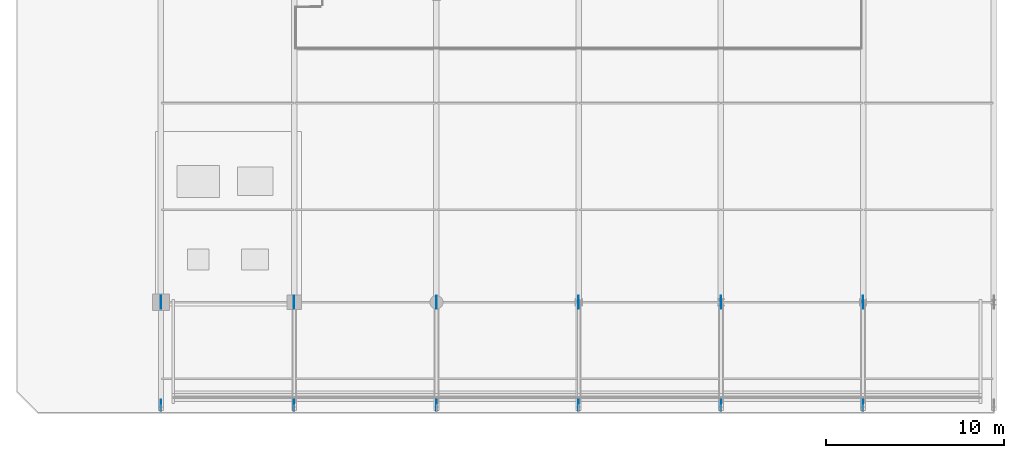
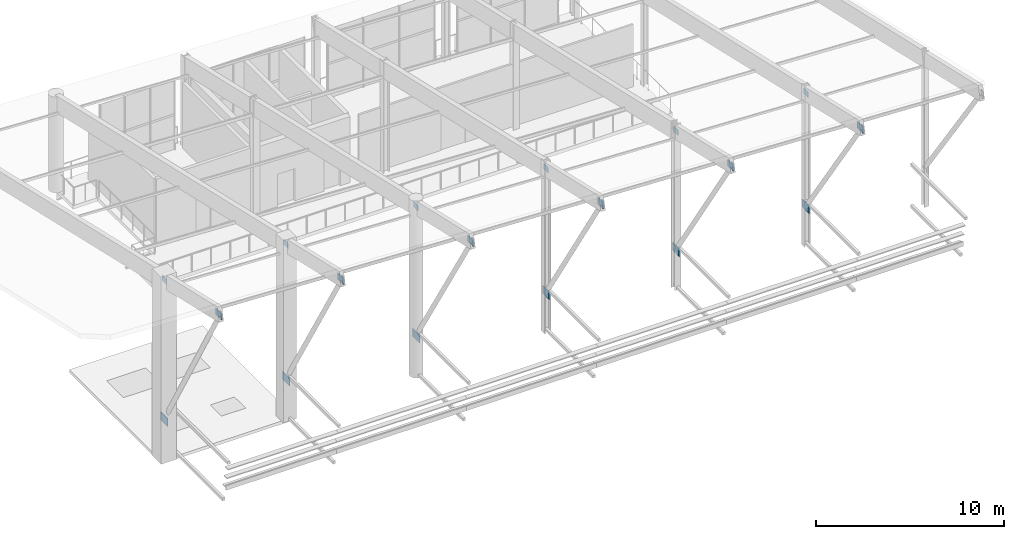
# One storey, part 32 of 51: 18 plates.
"""IFC4 building model written with IfcOpenShell, lengths in metres."""

from ifc_helpers import new_model, si_unit, direction, frame, origin, origin_2d, place, context, subcontext, project, spatial, rectangle, extrude, material, layer, layer_set, type_object, element, save


model = new_model("IFC4")

# Units and contexts
model_context = context("Model", 3, precision=1e-05, world=origin(), true_north=direction((0.0, 1.0)))
body_context = subcontext(model_context, "Body", "Model", "MODEL_VIEW")
ifc_project = project(units=[si_unit("LENGTHUNIT", "METRE"), si_unit("AREAUNIT", "SQUARE_METRE"), si_unit("VOLUMEUNIT", "CUBIC_METRE"), si_unit("PLANEANGLEUNIT", "RADIAN"), si_unit("MASSUNIT", "GRAM", prefix="KILO")], contexts=[model_context])

# Site, building, storey
site_placement = place(None, origin())
site = spatial("IfcSite", under=ifc_project, at=site_placement, CompositionType="ELEMENT")
building_placement = place(site_placement, origin())
building = spatial("IfcBuilding", under=site, at=building_placement, Name="Brisemont Oceanarium", CompositionType="ELEMENT")
storey_placement = place(building_placement, frame((0.0, 0.0, 15.0)))
storey = spatial("IfcBuildingStorey", under=building, at=storey_placement, Name="L03", CompositionType="ELEMENT", Elevation=15.0)

# Plates
ifc_material_1 = material(Name="Structural Steel ASTM A572 Gr.50", Category="steel")
ifc_layer_1 = layer(ifc_material_1, 0.030029296875)
ifc_layer_set_1 = layer_set([ifc_layer_1], Name="Structural Steel ASTM A572 Gr.50")
plate_type_1 = type_object("IfcPlateType", Name="PLT-NODE-TN1", PredefinedType="SHEET", material=ifc_layer_set_1)
for number, where, z_axis, x_axis, name in (
    (1, (8.5, 6.800048828125, 2.239990234375), (0.0, 0.0, 1.0), (1.0, 0.0, 0.0), "V2 rafter-strut gusset node plate -TN1"),
    (2, (16.0, 6.800048828125, 2.239990234375), (0.0, 0.0, 1.0), (1.0, 0.0, 0.0), "V2 rafter-strut gusset node plate -TN1"),
    (3, (24.0, 6.800048828125, 2.239990234375), (0.0, 0.0, 1.0), (1.0, 0.0, 0.0), "V2 rafter-strut gusset node plate -TN1"),
    (4, (32.0, 6.800048828125, 2.239990234375), (0.0, 0.0, 1.0), (1.0, 0.0, 0.0), "V2 rafter-strut gusset node plate -TN1"),
    (5, (40.0, 6.800048828125, 2.239990234375), (0.0, 0.0, 1.0), (1.0, 0.0, 0.0), "V2 rafter-strut gusset node plate -TN1"),
    (6, (48.0, 6.800048828125, 2.239990234375), (0.0, 0.0, 1.0), (1.0, 0.0, 0.0), "V2 rafter-strut gusset node plate -TN1"),
):
    element("IfcPlate", number, at=place(storey_placement, frame(where, z_axis=z_axis, x_axis=x_axis)), inside=storey, type_object=plate_type_1, Name=name, PredefinedType="SHEET", context=body_context, shape_type="SweptSolid", body=[
        extrude(rectangle(XDim=0.030029296875, YDim=0.739990234375, at=origin_2d()), origin(), (0.0, 0.0, 1.0), 0.52001953125),
    ])
ifc_material_2 = material(Name="Structural Steel ASTM A572 Gr.50", Category="steel")
ifc_layer_2 = layer(ifc_material_2, 0.02490234375)
ifc_layer_set_2 = layer_set([ifc_layer_2], Name="Structural Steel ASTM A572 Gr.50")
plate_type_2 = type_object("IfcPlateType", Name="PLT-NODE-TN2", PredefinedType="SHEET", material=ifc_layer_set_2)
for number, where, z_axis, x_axis, name in (
    (7, (8.5, 1.0, 12.642578125), (0.0, 0.0, 1.0), (1.0, 0.0, 0.0), "V2 rafter-strut gusset node plate -TN2"),
    (8, (16.0, 1.0, 12.322265625), (0.0, 0.0, 1.0), (1.0, 0.0, 0.0), "V2 rafter-strut gusset node plate -TN2"),
    (9, (24.0, 1.0, 11.98046875), (0.0, 0.0, 1.0), (1.0, 0.0, 0.0), "V2 rafter-strut gusset node plate -TN2"),
    (10, (32.0, 1.0, 11.638427734375), (0.0, 0.0, 1.0), (1.0, 0.0, 0.0), "V2 rafter-strut gusset node plate -TN2"),
    (11, (40.0, 1.0, 11.296630859375), (0.0, 0.0, 1.0), (1.0, 0.0, 0.0), "V2 rafter-strut gusset node plate -TN2"),
    (12, (48.0, 1.0, 10.954833984375), (0.0, 0.0, 1.0), (1.0, 0.0, 0.0), "V2 rafter-strut gusset node plate -TN2"),
):
    element("IfcPlate", number, at=place(storey_placement, frame(where, z_axis=z_axis, x_axis=x_axis)), inside=storey, type_object=plate_type_2, Name=name, PredefinedType="SHEET", context=body_context, shape_type="SweptSolid", body=[
        extrude(rectangle(XDim=0.02490234375, YDim=0.6201171875, at=origin_2d()), origin(), (0.0, 0.0, 1.0), 0.43994140625),
    ])
ifc_material_3 = material(Name="Structural Steel ASTM A572 Gr.50", Category="steel")
ifc_layer_3 = layer(ifc_material_3, 0.02197265625)
ifc_layer_set_3 = layer_set([ifc_layer_3], Name="Structural Steel ASTM A572 Gr.50")
plate_type_3 = type_object("IfcPlateType", Name="PLT-NODE-TN3", PredefinedType="SHEET", material=ifc_layer_set_3)
for number, where, z_axis, x_axis, name in (
    (13, (8.5, 6.800048828125, 11.4091796875), (0.0, 0.0, 1.0), (1.0, 0.0, 0.0), "V2 rafter-strut gusset node plate -TN3"),
    (14, (16.0, 6.800048828125, 11.0888671875), (0.0, 0.0, 1.0), (1.0, 0.0, 0.0), "V2 rafter-strut gusset node plate -TN3"),
    (15, (24.0, 6.800048828125, 10.7470703125), (0.0, 0.0, 1.0), (1.0, 0.0, 0.0), "V2 rafter-strut gusset node plate -TN3"),
    (16, (32.0, 6.800048828125, 10.4052734375), (0.0, 0.0, 1.0), (1.0, 0.0, 0.0), "V2 rafter-strut gusset node plate -TN3"),
    (17, (40.0, 6.800048828125, 10.0634765625), (0.0, 0.0, 1.0), (1.0, 0.0, 0.0), "V2 rafter-strut gusset node plate -TN3"),
    (18, (48.0, 6.800048828125, 9.7216796875), (0.0, 0.0, 1.0), (1.0, 0.0, 0.0), "V2 rafter-strut gusset node plate -TN3"),
):
    element("IfcPlate", number, at=place(storey_placement, frame(where, z_axis=z_axis, x_axis=x_axis)), inside=storey, type_object=plate_type_3, Name=name, PredefinedType="SHEET", context=body_context, shape_type="SweptSolid", body=[
        extrude(rectangle(XDim=0.02197265625, YDim=0.47998046875, at=origin_2d()), origin(), (0.0, 0.0, 1.0), 0.360107421875),
    ])

save(model, "model.ifc")
